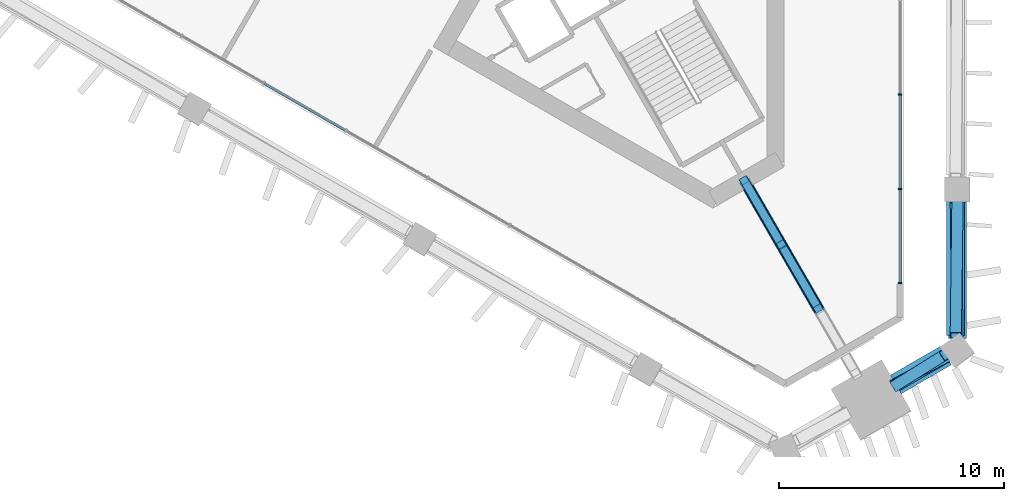
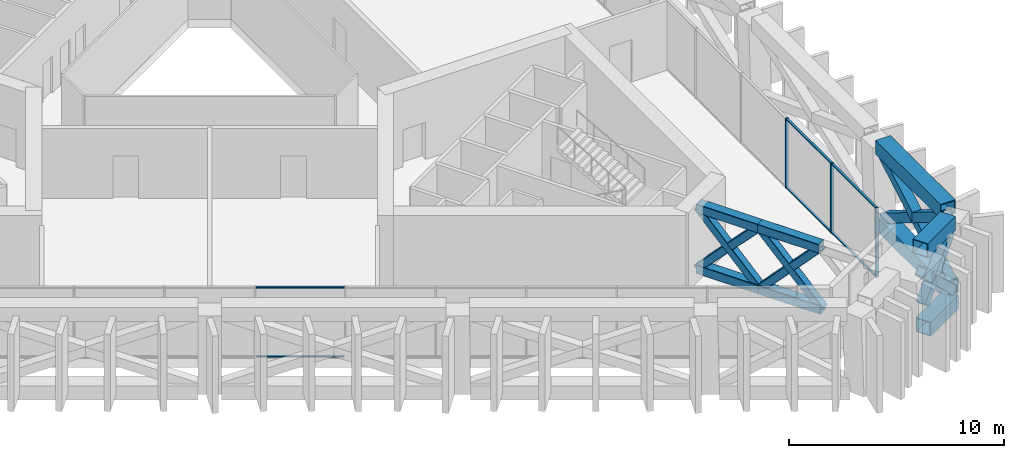
# One storey, part 4 of 17: 25 members, 2 elements without a shape of their own.
"""IFC4 building model written with IfcOpenShell, lengths in metres."""

from ifc_helpers import new_model, si_unit, direction, frame, origin, origin_2d, place, context, subcontext, project, spatial, rectangle, hollow_rectangle, extrude, material, layer, layer_set, material_profile, profile_set, type_object, element, aggregate, save


model = new_model("IFC4")

# Units and contexts
model_context = context("Model", 3, precision=1e-05, world=origin(), true_north=direction((0.0, 1.0)))
body_context = subcontext(model_context, "Body", "Model", "MODEL_VIEW")
ifc_project = project(units=[si_unit("LENGTHUNIT", "METRE"), si_unit("AREAUNIT", "SQUARE_METRE"), si_unit("VOLUMEUNIT", "CUBIC_METRE"), si_unit("PLANEANGLEUNIT", "RADIAN"), si_unit("MASSUNIT", "GRAM", prefix="KILO")], contexts=[model_context])

# Site, building, storey
site_placement = place(None, origin())
site = spatial("IfcSite", under=ifc_project, at=site_placement, CompositionType="ELEMENT")
building_placement = place(site_placement, origin())
building = spatial("IfcBuilding", under=site, at=building_placement, Name="Jabali Bay Hotel Tower and Convention Centre", CompositionType="ELEMENT")
storey_placement = place(building_placement, frame((0.0, 0.0, 102.39990234375)))
storey = spatial("IfcBuildingStorey", under=building, at=storey_placement, Name="L24", CompositionType="ELEMENT", Elevation=102.39990234375)

# Members
ifc_material_1 = material(Name="Steel Q420GJC", Category="steel")
ifc_material_profile_1 = material_profile(ifc_material_1, hollow_rectangle(XDim=0.5, YDim=0.5, WallThickness=0.030029296875, at=origin_2d()), Name="Belt brace 500x500x30")
ifc_profile_set_1 = profile_set([ifc_material_profile_1], Name="Steel Q420GJC")
member_type_1 = type_object("IfcMemberType", Name="Belt brace 500x500x30", PredefinedType="BRACE", material=ifc_profile_set_1)
member_1_placement = place(storey_placement, frame((94.862548828125, 48.195556640625, 1.297119140625), z_axis=(0.600242237457, 0.375294859749, 0.706302360621), x_axis=(-0.53014466139, 0.847907210725, 0.0)))
element("IfcMember", 1, at=member_1_placement, inside=storey, type_object=member_type_1, Name="Belt brace T2 M2-V0 x1", PredefinedType="BRACE", context=body_context, shape_type="SweptSolid", body=[
    extrude(hollow_rectangle(XDim=0.5, YDim=0.5, WallThickness=0.030029296875, at=origin_2d()), origin(), (0.0, 0.0, 1.0), 3.6162109375),
])
member_2_placement = place(storey_placement, frame((97.102783203125, 49.458251953125, 0.547119140625), z_axis=(-0.626030523079, -0.332690122182, 0.705268081496), x_axis=(0.469277778127, -0.883050602715, 0.0)))
element("IfcMember", 2, at=member_2_placement, inside=storey, type_object=member_type_1, Name="Belt brace T2 M2-V0 x2", PredefinedType="BRACE", context=body_context, shape_type="SweptSolid", body=[
    extrude(hollow_rectangle(XDim=0.5, YDim=0.5, WallThickness=0.030029296875, at=origin_2d()), origin(), (0.0, 0.0, 1.0), 3.629638671875),
])
member_3_placement = place(storey_placement, frame((97.58154296875, 50.266357421875, 0.334228515625), z_axis=(-0.01046294149, 0.854564143258, 0.519240456738), x_axis=(-0.999925055556, -0.012242682347, 0.0)))
element("IfcMember", 3, at=member_3_placement, inside=storey, type_object=member_type_1, Name="Belt brace T2 V0-F0.1 x1", PredefinedType="BRACE", context=body_context, shape_type="SweptSolid", body=[
    extrude(hollow_rectangle(XDim=0.5, YDim=0.5, WallThickness=0.030029296875, at=origin_2d()), origin(), (0.0, 0.0, 1.0), 7.186767578125),
])
member_4_placement = place(storey_placement, frame((97.581298828125, 56.314208984375, 0.3447265625), z_axis=(-0.010726676426, -0.847267676409, 0.53105783388), x_axis=(0.999919867834, -0.012659301391, 0.0)))
element("IfcMember", 4, at=member_4_placement, inside=storey, type_object=member_type_1, Name="Belt brace T2 V0-F0.1 x2", PredefinedType="BRACE", context=body_context, shape_type="SweptSolid", body=[
    extrude(hollow_rectangle(XDim=0.5, YDim=0.5, WallThickness=0.030029296875, at=origin_2d()), origin(), (0.0, 0.0, 1.0), 6.9873046875),
])
ifc_material_profile_2 = material_profile(ifc_material_1, hollow_rectangle(XDim=0.800048828125, YDim=0.800048828125, WallThickness=0.0400390625, at=origin_2d()), Name="Belt chord 800x800x40")
ifc_profile_set_2 = profile_set([ifc_material_profile_2], Name="Steel Q420GJC")
member_type_2 = type_object("IfcMemberType", Name="Belt chord 800x800x40", PredefinedType="CHORD", material=ifc_profile_set_2)
member_5_placement = place(storey_placement, frame((94.885986328125, 48.15625, 0.0), z_axis=(0.866036909293, 0.499980071345, 0.0), x_axis=(-0.499980071345, 0.866036909293, 0.0)))
element("IfcMember", 5, at=member_5_placement, inside=storey, type_object=member_type_2, Name="Belt chord T2 M2-V0", PredefinedType="CHORD", context=body_context, shape_type="SweptSolid", body=[
    extrude(hollow_rectangle(XDim=0.800048828125, YDim=0.800048828125, WallThickness=0.0400390625, at=origin_2d()), origin(), (0.0, 0.0, 1.0), 2.5703125),
])
member_6_placement = place(storey_placement, frame((97.58837890625, 50.2666015625, 0.0), z_axis=(0.0, 1.0, 0.0), x_axis=(-1.0, 0.0, 0.0)))
element("IfcMember", 6, at=member_6_placement, inside=storey, type_object=member_type_2, Name="Belt chord T2 V0-F0.1", PredefinedType="CHORD", context=body_context, shape_type="SweptSolid", body=[
    extrude(hollow_rectangle(XDim=0.800048828125, YDim=0.800048828125, WallThickness=0.0400390625, at=origin_2d()), origin(), (0.0, 0.0, 1.0), 6.047607421875),
])
member_7_placement = place(storey_placement, frame((94.80859375, 48.29052734375, 4.400146484375), z_axis=(0.866031368865, 0.499989668035, 0.0), x_axis=(-0.499989668035, 0.866031368865, 0.0)))
element("IfcMember", 7, at=member_7_placement, inside=storey, type_object=member_type_2, Name="Belt chord T2 M2-V0", PredefinedType="CHORD", context=body_context, shape_type="SweptSolid", body=[
    extrude(hollow_rectangle(XDim=0.800048828125, YDim=0.800048828125, WallThickness=0.0400390625, at=origin_2d()), origin(), (0.0, 0.0, 1.0), 2.55712890625),
])
member_8_placement = place(storey_placement, frame((97.49951171875, 50.394287109375, 4.400146484375), z_axis=(0.0, 1.0, 0.0), x_axis=(-1.0, 0.0, 0.0)))
element("IfcMember", 8, at=member_8_placement, inside=storey, type_object=member_type_2, Name="Belt chord T2 V0-F0.1", PredefinedType="CHORD", context=body_context, shape_type="SweptSolid", body=[
    extrude(hollow_rectangle(XDim=0.800048828125, YDim=0.800048828125, WallThickness=0.0400390625, at=origin_2d()), origin(), (0.0, 0.0, 1.0), 6.013671875),
])

# Curtain wall, members
ifc_material_2 = material(Name="Aluminium and glass", Category="aluminium")
ifc_layer = layer(ifc_material_2, 0.159912109375)
ifc_layer_set = layer_set([ifc_layer], Name="Aluminium and glass")
curtain_wall_type = type_object("IfcCurtainWallType", Name="CW3 curtain wall", PredefinedType="NOTDEFINED", material=ifc_layer_set)
curtain_wall_1_placement = place(storey_placement, origin())
curtain_wall_1 = element("IfcCurtainWall", 9, at=curtain_wall_1_placement, inside=storey, type_object=curtain_wall_type, Name="CW3 curtain wall east face L24", PredefinedType="NOTDEFINED")
ifc_material_3 = material(Name="Aluminium", Category="aluminium")
ifc_material_profile_3 = material_profile(ifc_material_3, rectangle(XDim=0.159912109375, YDim=0.06005859375, at=origin_2d()), Name="CW3 mullion 60 x 160")
ifc_profile_set_3 = profile_set([ifc_material_profile_3], Name="Aluminium")
member_type_3 = type_object("IfcMemberType", Name="CW3 mullion 60 x 160", PredefinedType="MULLION", material=ifc_profile_set_3)
member_9_placement = place(storey_placement, frame((95.038330078125, 61.09228515625, 0.0), z_axis=(0.0, 0.0, 1.0), x_axis=(1.0, 0.0, 0.0)))
member_9 = element("IfcMember", 10, at=member_9_placement, type_object=member_type_3, Name="CW3 mullion 12", PredefinedType="MULLION", context=body_context, shape_type="SweptSolid", body=[
    extrude(rectangle(XDim=0.159912109375, YDim=0.06005859375, at=origin_2d()), origin(), (0.0, 0.0, 1.0), 3.9501953125),
])
member_10_placement = place(storey_placement, frame((95.038330078125, 56.890380859375, 0.0), z_axis=(0.0, 0.0, 1.0), x_axis=(1.0, 0.0, 0.0)))
member_10 = element("IfcMember", 11, at=member_10_placement, type_object=member_type_3, Name="CW3 mullion 13", PredefinedType="MULLION", context=body_context, shape_type="SweptSolid", body=[
    extrude(rectangle(XDim=0.159912109375, YDim=0.06005859375, at=origin_2d()), origin(), (0.0, 0.0, 1.0), 3.9501953125),
])
member_11_placement = place(storey_placement, frame((95.038330078125, 52.71875, 0.0), z_axis=(0.0, 0.0, 1.0), x_axis=(1.0, 0.0, 0.0)))
member_11 = element("IfcMember", 12, at=member_11_placement, type_object=member_type_3, Name="CW3 mullion 14", PredefinedType="MULLION", context=body_context, shape_type="SweptSolid", body=[
    extrude(rectangle(XDim=0.159912109375, YDim=0.06005859375, at=origin_2d()), origin(), (0.0, 0.0, 1.0), 3.9501953125),
])
ifc_material_profile_4 = material_profile(ifc_material_3, rectangle(XDim=0.1201171875, YDim=0.06005859375, at=origin_2d()), Name="CW3 transom 60 x 120")
ifc_profile_set_4 = profile_set([ifc_material_profile_4], Name="Aluminium")
member_type_4 = type_object("IfcMemberType", Name="CW3 transom 60 x 120", PredefinedType="USERDEFINED", material=ifc_profile_set_4)
member_12_placement = place(storey_placement, frame((95.038330078125, 61.062255859375, 0.030029296875), z_axis=(0.0, -1.0, 0.0), x_axis=(1.0, 0.0, 0.0)))
member_12 = element("IfcMember", 13, at=member_12_placement, type_object=member_type_4, Name="CW3 transom 12.1", ObjectType="TRANSOM", PredefinedType="USERDEFINED", context=body_context, shape_type="SweptSolid", body=[
    extrude(rectangle(XDim=0.1201171875, YDim=0.06005859375, at=origin_2d()), origin(), (0.0, 0.0, 1.0), 4.141845703125),
])
member_13_placement = place(storey_placement, frame((95.038330078125, 61.062255859375, 3.920166015625), z_axis=(0.0, -1.0, 0.0), x_axis=(1.0, 0.0, 0.0)))
member_13 = element("IfcMember", 14, at=member_13_placement, type_object=member_type_4, Name="CW3 transom 12.2", ObjectType="TRANSOM", PredefinedType="USERDEFINED", context=body_context, shape_type="SweptSolid", body=[
    extrude(rectangle(XDim=0.1201171875, YDim=0.06005859375, at=origin_2d()), origin(), (0.0, 0.0, 1.0), 4.141845703125),
])
member_14_placement = place(storey_placement, frame((95.038330078125, 56.860595703125, 0.030029296875), z_axis=(0.0, -1.0, 0.0), x_axis=(1.0, 0.0, 0.0)))
member_14 = element("IfcMember", 15, at=member_14_placement, type_object=member_type_4, Name="CW3 transom 13.1", ObjectType="TRANSOM", PredefinedType="USERDEFINED", context=body_context, shape_type="SweptSolid", body=[
    extrude(rectangle(XDim=0.1201171875, YDim=0.06005859375, at=origin_2d()), origin(), (0.0, 0.0, 1.0), 4.11181640625),
])
member_15_placement = place(storey_placement, frame((95.038330078125, 56.860595703125, 3.920166015625), z_axis=(0.0, -1.0, 0.0), x_axis=(1.0, 0.0, 0.0)))
member_15 = element("IfcMember", 16, at=member_15_placement, type_object=member_type_4, Name="CW3 transom 13.2", ObjectType="TRANSOM", PredefinedType="USERDEFINED", context=body_context, shape_type="SweptSolid", body=[
    extrude(rectangle(XDim=0.1201171875, YDim=0.06005859375, at=origin_2d()), origin(), (0.0, 0.0, 1.0), 4.11181640625),
])
aggregate(curtain_wall_1, [member_9, member_10, member_11, member_12, member_13, member_14, member_15])

curtain_wall_2_placement = place(storey_placement, origin())
curtain_wall_2 = element("IfcCurtainWall", 17, at=curtain_wall_2_placement, inside=storey, type_object=curtain_wall_type, Name="CW3 curtain wall south-west face L24", PredefinedType="NOTDEFINED")
member_16_placement = place(storey_placement, frame((70.4130859375, 59.510009765625, 0.030029296875), z_axis=(-0.86603638303, 0.499980982906, 0.0), x_axis=(-0.499980982906, -0.86603638303, 0.0)))
member_16 = element("IfcMember", 18, at=member_16_placement, type_object=member_type_4, Name="CW3 transom 6.1", ObjectType="TRANSOM", PredefinedType="USERDEFINED", context=body_context, shape_type="SweptSolid", body=[
    extrude(rectangle(XDim=0.1201171875, YDim=0.06005859375, at=origin_2d()), origin(), (0.0, 0.0, 1.0), 4.141845703125),
])
member_17_placement = place(storey_placement, frame((70.4130859375, 59.510009765625, 3.920166015625), z_axis=(-0.86603638303, 0.499980982906, 0.0), x_axis=(-0.499980982906, -0.86603638303, 0.0)))
member_17 = element("IfcMember", 19, at=member_17_placement, type_object=member_type_4, Name="CW3 transom 6.2", ObjectType="TRANSOM", PredefinedType="USERDEFINED", context=body_context, shape_type="SweptSolid", body=[
    extrude(rectangle(XDim=0.1201171875, YDim=0.06005859375, at=origin_2d()), origin(), (0.0, 0.0, 1.0), 4.141845703125),
])
aggregate(curtain_wall_2, [member_16, member_17])

# Members
ifc_material_profile_5 = material_profile(ifc_material_1, hollow_rectangle(XDim=0.39990234375, YDim=0.39990234375, WallThickness=0.011962890625, InnerFilletRadius=0.01806640625, OuterFilletRadius=0.030029296875, at=origin_2d()), Name="Outrigger brace 400x400x12")
ifc_profile_set_5 = profile_set([ifc_material_profile_5], Name="Steel Q420GJC")
member_type_5 = type_object("IfcMemberType", Name="Outrigger brace 400x400x12", PredefinedType="BRACE", material=ifc_profile_set_5)
member_18_placement = place(storey_placement, frame((88.114013671875, 57.285888671875, 0.25), z_axis=(0.344930435923, -0.597391031233, 0.723979937689), x_axis=(0.866008729101, 0.500028880288, 0.0)))
element("IfcMember", 20, at=member_18_placement, inside=storey, type_object=member_type_5, Name="Outrigger brace T2 3.1x1", PredefinedType="BRACE", context=body_context, shape_type="SweptSolid", body=[
    extrude(hollow_rectangle(XDim=0.39990234375, YDim=0.39990234375, WallThickness=0.011962890625, InnerFilletRadius=0.01806640625, OuterFilletRadius=0.030029296875, at=origin_2d()), origin(), (0.0, 0.0, 1.0), 4.765625),
])
member_19_placement = place(storey_placement, frame((89.778076171875, 54.40380859375, 0.25), z_axis=(-0.347136982527, 0.601225363663, 0.71973882586), x_axis=(-0.86601333025, -0.500020911392, 0.0)))
element("IfcMember", 21, at=member_19_placement, inside=storey, type_object=member_type_5, Name="Outrigger brace T2 3.1x2", PredefinedType="BRACE", context=body_context, shape_type="SweptSolid", body=[
    extrude(hollow_rectangle(XDim=0.39990234375, YDim=0.39990234375, WallThickness=0.011962890625, InnerFilletRadius=0.01806640625, OuterFilletRadius=0.030029296875, at=origin_2d()), origin(), (0.0, 0.0, 1.0), 4.793701171875),
])
member_20_placement = place(storey_placement, frame((89.778076171875, 54.40380859375, 0.25), z_axis=(0.342639149407, -0.593499035001, 0.728256348236), x_axis=(0.866036573622, 0.499980652775, 0.0)))
element("IfcMember", 22, at=member_20_placement, inside=storey, type_object=member_type_5, Name="Outrigger brace T2 3.2x1", PredefinedType="BRACE", context=body_context, shape_type="SweptSolid", body=[
    extrude(hollow_rectangle(XDim=0.39990234375, YDim=0.39990234375, WallThickness=0.011962890625, InnerFilletRadius=0.01806640625, OuterFilletRadius=0.030029296875, at=origin_2d()), origin(), (0.0, 0.0, 1.0), 4.737548828125),
])
member_21_placement = place(storey_placement, frame((91.44189453125, 51.521728515625, 0.25), z_axis=(-0.349260482235, 0.605003407107, 0.715533362561), x_axis=(-0.866049203562, -0.49995877531, 0.0)))
element("IfcMember", 23, at=member_21_placement, inside=storey, type_object=member_type_5, Name="Outrigger brace T2 3.2x2", PredefinedType="BRACE", context=body_context, shape_type="SweptSolid", body=[
    extrude(hollow_rectangle(XDim=0.39990234375, YDim=0.39990234375, WallThickness=0.011962890625, InnerFilletRadius=0.01806640625, OuterFilletRadius=0.030029296875, at=origin_2d()), origin(), (0.0, 0.0, 1.0), 4.82177734375),
])
ifc_material_profile_6 = material_profile(ifc_material_1, hollow_rectangle(XDim=0.5, YDim=0.5, WallThickness=0.01611328125, InnerFilletRadius=0.02392578125, OuterFilletRadius=0.0400390625, at=origin_2d()), Name="Outrigger chord 500x500x16")
ifc_profile_set_6 = profile_set([ifc_material_profile_6], Name="Steel Q420GJC")
member_type_6 = type_object("IfcMemberType", Name="Outrigger chord 500x500x16", PredefinedType="CHORD", material=ifc_profile_set_6)
for number, where, z_axis, x_axis, name in (
    (24, (88.114013671875, 57.285888671875, 0.25), (0.500020911392, -0.86601333025, 0.0), (0.86601333025, 0.500020911392, 0.0), "Outrigger chord T2 3.lo1"),
    (25, (89.778076171875, 54.40380859375, 0.25), (0.499965889992, -0.866045096311, 0.0), (0.866045096311, 0.499965889992, 0.0), "Outrigger chord T2 3.lo2"),
):
    element("IfcMember", number, at=place(storey_placement, frame(where, z_axis=z_axis, x_axis=x_axis)), inside=storey, type_object=member_type_6, Name=name, PredefinedType="CHORD", context=body_context, shape_type="SweptSolid", body=[
        extrude(hollow_rectangle(XDim=0.5, YDim=0.5, WallThickness=0.01611328125, InnerFilletRadius=0.02392578125, OuterFilletRadius=0.0400390625, at=origin_2d()), origin(), (0.0, 0.0, 1.0), 3.327880859375),
    ])
for number, where, z_axis, x_axis, name in (
    (26, (88.114013671875, 57.285888671875, 3.7001953125), (0.500028880288, -0.866008729101, 0.0), (0.866008729101, 0.500028880288, 0.0), "Outrigger chord T2 3.hi1"),
    (27, (89.7578125, 54.43896484375, 3.7001953125), (0.499973180286, -0.8660408876, 0.0), (0.8660408876, 0.499973180286, 0.0), "Outrigger chord T2 3.hi2"),
):
    element("IfcMember", number, at=place(storey_placement, frame(where, z_axis=z_axis, x_axis=x_axis)), inside=storey, type_object=member_type_6, Name=name, PredefinedType="CHORD", context=body_context, shape_type="SweptSolid", body=[
        extrude(hollow_rectangle(XDim=0.5, YDim=0.5, WallThickness=0.01611328125, InnerFilletRadius=0.02392578125, OuterFilletRadius=0.0400390625, at=origin_2d()), origin(), (0.0, 0.0, 1.0), 3.287353515625),
    ])

save(model, "model.ifc")
